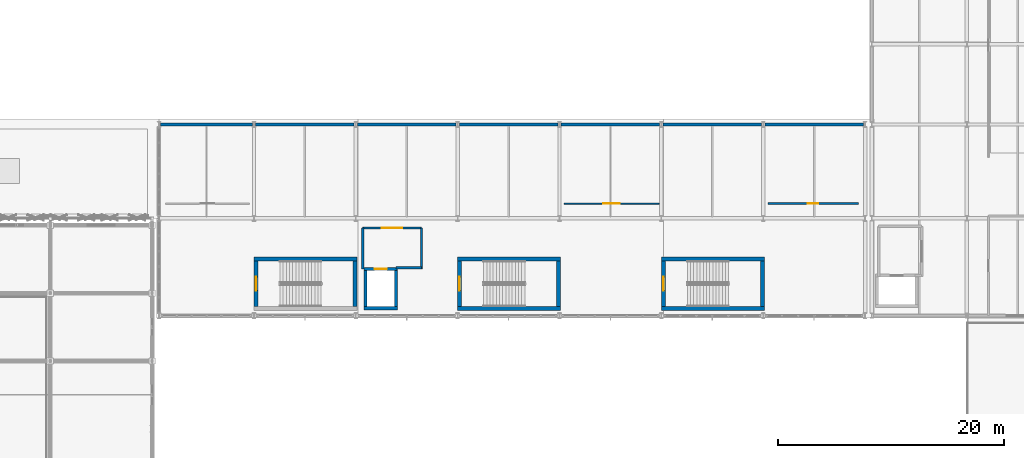
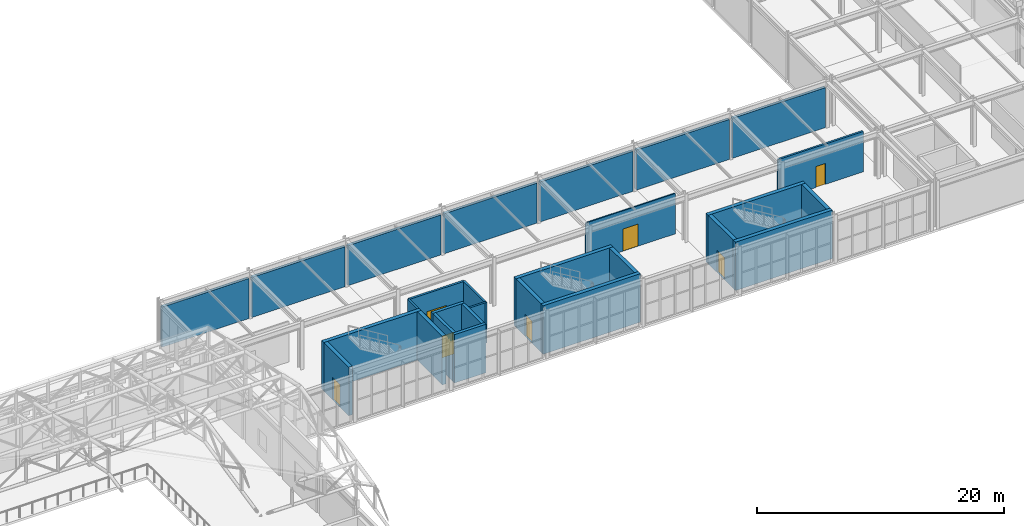
# One storey, part 95 of 112: 28 walls, 7 doors, 7 openings.
"""IFC4 building model written with IfcOpenShell, lengths in metres."""

from ifc_helpers import new_model, si_unit, direction, frame, frame_2d, origin, place, context, subcontext, project, spatial, rectangle, extrude, material, layer, layer_set, type_object, element, fill, save


model = new_model("IFC4")

# Units and contexts
model_context = context("Model", 3, precision=1e-05, world=origin(), true_north=direction((0.0, 1.0)))
body_context = subcontext(model_context, "Body", "Model", "MODEL_VIEW")
ifc_project = project(units=[si_unit("LENGTHUNIT", "METRE"), si_unit("AREAUNIT", "SQUARE_METRE"), si_unit("VOLUMEUNIT", "CUBIC_METRE"), si_unit("PLANEANGLEUNIT", "RADIAN"), si_unit("MASSUNIT", "GRAM", prefix="KILO")], contexts=[model_context])

# Site, building, storey
site_placement = place(None, origin())
site = spatial("IfcSite", under=ifc_project, at=site_placement, CompositionType="ELEMENT")
building_placement = place(site_placement, origin())
building = spatial("IfcBuilding", under=site, at=building_placement, Name="Kaldris Quays Convention Centre", CompositionType="ELEMENT")
storey_placement = place(building_placement, frame((0.0, 0.0, 16.800048828125)))
storey = spatial("IfcBuildingStorey", under=building, at=storey_placement, Name="L03", CompositionType="ELEMENT", Elevation=16.800048828125)

# Walls
ifc_material_1 = material(Name="Precast concrete C40/50", Category="concrete")
ifc_layer_1 = layer(ifc_material_1, 0.263916015625)
ifc_layer_set_1 = layer_set([ifc_layer_1], Name="Precast concrete C40/50")
wall_type_1 = type_object("IfcWallType", Name="EXTERIOR WALL EW04", PredefinedType="STANDARD", material=ifc_layer_set_1)
wall_1_placement = place(storey_placement, frame((83.74609375, 54.89990234375, 0.0), z_axis=(0.0, 0.0, 1.0), x_axis=(1.0, 0.0, 0.0)))
element("IfcWall", 1, at=wall_1_placement, inside=storey, type_object=wall_type_1, Name="L03 Exterior Wall EW04 255", PredefinedType="STANDARD", context=body_context, shape_type="SweptSolid", body=[
    extrude(rectangle(XDim=8.10791015625, YDim=0.263916015625, at=frame_2d((4.053955078125, 0.0))), origin(), (0.0, 0.0, 1.0), 3.96484375),
])
for number, where, z_axis, x_axis, name in (
    (2, (92.14599609375, 54.89990234375, 0.0), (0.0, 0.0, 1.0), (1.0, 0.0, 0.0), "L03 Exterior Wall EW04 256"),
    (3, (101.14599609375, 54.89990234375, 0.0), (0.0, 0.0, 1.0), (1.0, 0.0, 0.0), "L03 Exterior Wall EW04 257"),
    (4, (110.14599609375, 54.89990234375, 0.0), (0.0, 0.0, 1.0), (1.0, 0.0, 0.0), "L03 Exterior Wall EW04 258"),
    (5, (119.14599609375, 54.89990234375, 0.0), (0.0, 0.0, 1.0), (1.0, 0.0, 0.0), "L03 Exterior Wall EW04 259"),
    (6, (128.14599609375, 54.89990234375, 0.0), (0.0, 0.0, 1.0), (1.0, 0.0, 0.0), "L03 Exterior Wall EW04 260"),
    (7, (137.14599609375, 54.89990234375, 0.0), (0.0, 0.0, 1.0), (1.0, 0.0, 0.0), "L03 Exterior Wall EW04 261"),
):
    element("IfcWall", number, at=place(storey_placement, frame(where, z_axis=z_axis, x_axis=x_axis)), inside=storey, type_object=wall_type_1, Name=name, PredefinedType="STANDARD", context=body_context, shape_type="SweptSolid", body=[
        extrude(rectangle(XDim=8.7080078125, YDim=0.263916015625, at=frame_2d((4.35400390625, 0.0))), origin(), (0.0, 0.0, 1.0), 3.96484375),
    ])

# Wall, opening, door
ifc_material_2 = material(Name="Concrete C35/45", Category="concrete")
ifc_layer_2 = layer(ifc_material_2, 0.199951171875)
ifc_layer_set_2 = layer_set([ifc_layer_2], Name="Concrete C35/45")
wall_type_2 = type_object("IfcWallType", Name="INTERIOR WALL IW01", PredefinedType="PARTITIONING", material=ifc_layer_set_2)
wall_2_placement = place(storey_placement, frame((101.60009765625, 45.75, 0.0), z_axis=(0.0, 0.0, 1.0), x_axis=(1.0, 0.0, 0.0)))
wall_2 = element("IfcWall", 8, at=wall_2_placement, inside=storey, type_object=wall_type_2, Name="L03 Firefighting Lift Lobby FL01 Wall N", PredefinedType="PARTITIONING", context=body_context, shape_type="SweptSolid", body=[
    extrude(rectangle(XDim=5.199951171875, YDim=0.199951171875, at=frame_2d((2.60009765625, 0.0))), origin(), (0.0, 0.0, 1.0), 4.0),
])
opening_1_placement = place(wall_2_placement, frame((1.699951171875, 0.0, 0.0)))
opening_1 = element("IfcOpeningElement", 9, at=opening_1_placement, cuts=wall_2, Name="Opening ID02", PredefinedType="OPENING", context=body_context, shape_type="SweptSolid", body=[
    extrude(rectangle(XDim=1.800048828125, YDim=2.199951171875, at=frame_2d((0.89990234375, 1.10009765625))), frame((0.0, 0.10986328125, 0.0), z_axis=(0.0, -1.0, 0.0), x_axis=(1.0, 0.0, 0.0)), (0.0, 0.0, 1.0), 0.219970703125),
])
ifc_material_3 = material(Name="Steel S355J2 fire-resisting door", Category="steel")
door_type_1 = type_object("IfcDoorType", Name="INTERIOR DOOR ID02", OperationType="DOUBLE_DOOR_SINGLE_SWING", PredefinedType="DOOR", material=ifc_material_3)
door_1_placement = place(opening_1_placement, origin())
door_1 = element("IfcDoor", 10, at=door_1_placement, inside=storey, type_object=door_type_1, Name="L03 Firefighting Lift Lobby FL01 Fire Door", OperationType="DOUBLE_DOOR_SINGLE_SWING", OverallHeight=2.199951171875, OverallWidth=1.800048828125, PredefinedType="DOOR", context=body_context, shape_type="SweptSolid", body=[
    extrude(rectangle(XDim=1.800048828125, YDim=2.199951171875, at=frame_2d((0.89990234375, 1.10009765625))), frame((0.0, 0.02490234375, 0.0), z_axis=(0.0, -1.0, 0.0), x_axis=(1.0, 0.0, 0.0)), (0.0, 0.0, 1.0), 0.050048828125),
])
fill(opening_1, door_1)

# Walls
for number, where, z_axis, x_axis, name in (
    (11, (101.60009765625, 42.14990234375, 0.0), (0.0, 0.0, 1.0), (0.0, 1.0, 0.0), "L03 Firefighting Lift Lobby FL01 Wall W"),
    (12, (106.800048828125, 42.14990234375, 0.0), (0.0, 0.0, 1.0), (0.0, 1.0, 0.0), "L03 Firefighting Lift Lobby FL01 Wall E"),
):
    element("IfcWall", number, at=place(storey_placement, frame(where, z_axis=z_axis, x_axis=x_axis)), inside=storey, type_object=wall_type_2, Name=name, PredefinedType="PARTITIONING", context=body_context, shape_type="SweptSolid", body=[
        extrude(rectangle(XDim=3.60009765625, YDim=0.199951171875, at=frame_2d((1.800048828125, 0.0))), origin(), (0.0, 0.0, 1.0), 4.0),
    ])
wall_3_placement = place(storey_placement, frame((104.5400390625, 42.25, 0.0), z_axis=(0.0, 0.0, 1.0), x_axis=(1.0, 0.0, 0.0)))
element("IfcWall", 13, at=wall_3_placement, inside=storey, type_object=wall_type_2, Name="L03 Firefighting Lift Lobby FL01 Wall S", PredefinedType="PARTITIONING", context=body_context, shape_type="SweptSolid", body=[
    extrude(rectangle(XDim=2.260009765625, YDim=0.199951171875, at=frame_2d((1.1298828125, 0.0))), origin(), (0.0, 0.0, 1.0), 4.0),
])

# Wall, opening, door
ifc_material_4 = material(Name="Acoustic gypsum stud partition", Category="gypsum")
ifc_layer_3 = layer(ifc_material_4, 0.177978515625)
ifc_layer_set_3 = layer_set([ifc_layer_3], Name="Acoustic gypsum stud partition")
wall_type_3 = type_object("IfcWallType", Name="INTERIOR WALL IW02", PredefinedType="PARTITIONING", material=ifc_layer_set_3)
wall_4_placement = place(storey_placement, frame((137.39990234375, 47.89990234375, 0.0), z_axis=(0.0, 0.0, 1.0), x_axis=(1.0, 0.0, 0.0)))
wall_4 = element("IfcWall", 14, at=wall_4_placement, inside=storey, type_object=wall_type_3, Name="L03 Interior Wall IW02 108", PredefinedType="PARTITIONING", context=body_context, shape_type="SweptSolid", body=[
    extrude(rectangle(XDim=8.0, YDim=0.177978515625, at=frame_2d((4.0, 0.0))), origin(), (0.0, 0.0, 1.0), 4.0),
])
opening_2_placement = place(wall_4_placement, frame((3.550048828125, 0.0, 0.0)))
opening_2 = element("IfcOpeningElement", 15, at=opening_2_placement, cuts=wall_4, Name="Opening ID12", PredefinedType="OPENING", context=body_context, shape_type="SweptSolid", body=[
    extrude(rectangle(XDim=0.89990234375, YDim=2.080078125, at=frame_2d((0.449951171875, 1.0400390625))), frame((0.0, 0.09912109375, 0.0), z_axis=(0.0, -1.0, 0.0), x_axis=(1.0, 0.0, 0.0)), (0.0, 0.0, 1.0), 0.197998046875),
])
ifc_material_5 = material(Name="Moisture-resistant sanitary room door", Category="wood")
door_type_2 = type_object("IfcDoorType", Name="INTERIOR DOOR ID12", OperationType="NOTDEFINED", PredefinedType="DOOR", material=ifc_material_5)
door_2_placement = place(opening_2_placement, origin())
door_2 = element("IfcDoor", 16, at=door_2_placement, inside=storey, type_object=door_type_2, Name="L03 Interior Door ID12 73", OperationType="SINGLE_SWING_LEFT", OverallHeight=2.080078125, OverallWidth=0.89990234375, PredefinedType="DOOR", context=body_context, shape_type="SweptSolid", body=[
    extrude(rectangle(XDim=0.89990234375, YDim=2.080078125, at=frame_2d((0.449951171875, 1.0400390625))), frame((0.0, 0.02490234375, 0.0), z_axis=(0.0, -1.0, 0.0), x_axis=(1.0, 0.0, 0.0)), (0.0, 0.0, 1.0), 0.050048828125),
])
fill(opening_2, door_2)

ifc_layer_4 = layer(ifc_material_4, 0.1201171875)
ifc_layer_set_4 = layer_set([ifc_layer_4], Name="Acoustic gypsum stud partition")
wall_type_4 = type_object("IfcWallType", Name="INTERIOR WALL IW06", PredefinedType="PARTITIONING", material=ifc_layer_set_4)
wall_5_placement = place(storey_placement, frame((119.39990234375, 47.89990234375, 0.0), z_axis=(0.0, 0.0, 1.0), x_axis=(1.0, 0.0, 0.0)))
wall_5 = element("IfcWall", 17, at=wall_5_placement, inside=storey, type_object=wall_type_4, Name="L03 Interior Wall IW06 107", PredefinedType="PARTITIONING", context=body_context, shape_type="SweptSolid", body=[
    extrude(rectangle(XDim=8.400146484375, YDim=0.1201171875, at=frame_2d((4.2001953125, 0.0))), origin(), (0.0, 0.0, 1.0), 4.0),
])
opening_3_placement = place(wall_5_placement, frame((3.47998046875, 0.0, 0.0)))
opening_3 = element("IfcOpeningElement", 18, at=opening_3_placement, cuts=wall_5, Name="Opening ID17", PredefinedType="OPENING", context=body_context, shape_type="SweptSolid", body=[
    extrude(rectangle(XDim=1.43994140625, YDim=2.199951171875, at=frame_2d((0.719970703125, 1.10009765625))), frame((0.0, 0.070068359375, 0.0), z_axis=(0.0, -1.0, 0.0), x_axis=(1.0, 0.0, 0.0)), (0.0, 0.0, 1.0), 0.14013671875),
])
ifc_material_6 = material(Name="Timber syndicate double door", Category="wood")
door_type_3 = type_object("IfcDoorType", Name="INTERIOR DOOR ID17", OperationType="DOUBLE_DOOR_SINGLE_SWING", PredefinedType="DOOR", material=ifc_material_6)
door_3_placement = place(opening_3_placement, origin())
door_3 = element("IfcDoor", 19, at=door_3_placement, inside=storey, type_object=door_type_3, Name="L03 Interior Door ID17 72", OperationType="DOUBLE_DOOR_SINGLE_SWING", OverallHeight=2.199951171875, OverallWidth=1.43994140625, PredefinedType="DOOR", context=body_context, shape_type="SweptSolid", body=[
    extrude(rectangle(XDim=1.43994140625, YDim=2.199951171875, at=frame_2d((0.719970703125, 1.10009765625))), frame((0.0, 0.02490234375, 0.0), z_axis=(0.0, -1.0, 0.0), x_axis=(1.0, 0.0, 0.0)), (0.0, 0.0, 1.0), 0.050048828125),
])
fill(opening_3, door_3)

# Wall
ifc_material_7 = material(Name="Concrete C40/50", Category="concrete")
ifc_layer_5 = layer(ifc_material_7, 0.35009765625)
ifc_layer_set_5 = layer_set([ifc_layer_5], Name="Concrete C40/50")
wall_type_5 = type_object("IfcWallType", Name="STRUCTURAL WALL SW01", PredefinedType="SHEAR", material=ifc_layer_set_5)
wall_6_placement = place(storey_placement, frame((92.0, 43.02490234375, 0.0), z_axis=(0.0, 0.0, 1.0), x_axis=(1.0, 0.0, 0.0)))
element("IfcWall", 20, at=wall_6_placement, inside=storey, type_object=wall_type_5, Name="L03 Core Shear Wall CORE-ST11-L03-N", PredefinedType="SHEAR", context=body_context, shape_type="SweptSolid", body=[
    extrude(rectangle(XDim=9.10009765625, YDim=0.35009765625, at=frame_2d((4.550048828125, 0.0))), origin(), (0.0, 0.0, 1.0), 4.800048828125),
])

# Wall, opening, door
wall_7_placement = place(storey_placement, frame((92.175048828125, 38.800048828125, 0.0), z_axis=(0.0, 0.0, 1.0), x_axis=(0.0, 1.0, 0.0)))
wall_7 = element("IfcWall", 21, at=wall_7_placement, inside=storey, type_object=wall_type_5, Name="L03 Core Shear Wall CORE-ST11-L03-W", PredefinedType="SHEAR", context=body_context, shape_type="SweptSolid", body=[
    extrude(rectangle(XDim=4.050048828125, YDim=0.35009765625, at=frame_2d((2.02490234375, 0.0))), origin(), (0.0, 0.0, 1.0), 4.800048828125),
])
opening_4_placement = place(wall_7_placement, frame((1.425048828125, 0.0, 0.0)))
opening_4 = element("IfcOpeningElement", 22, at=opening_4_placement, cuts=wall_7, Name="Opening ID03", PredefinedType="OPENING", context=body_context, shape_type="SweptSolid", body=[
    extrude(rectangle(XDim=1.199951171875, YDim=2.199951171875, at=frame_2d((0.60009765625, 1.10009765625))), frame((0.0, 0.18505859375, 0.0), z_axis=(0.0, -1.0, 0.0), x_axis=(1.0, 0.0, 0.0)), (0.0, 0.0, 1.0), 0.3701171875),
])
door_type_4 = type_object("IfcDoorType", Name="INTERIOR DOOR ID03", OperationType="NOTDEFINED", PredefinedType="DOOR", material=ifc_material_3)
door_4_placement = place(opening_4_placement, frame((1.199951171875, 0.0, 0.0), z_axis=(0.0, 0.0, 1.0), x_axis=(-1.0, 0.0, 0.0)))
door_4 = element("IfcDoor", 23, at=door_4_placement, inside=storey, type_object=door_type_4, Name="L03 Escape Stair ST11 Fire Door", OperationType="SINGLE_SWING_LEFT", OverallHeight=2.199951171875, OverallWidth=1.199951171875, PredefinedType="DOOR", context=body_context, shape_type="SweptSolid", body=[
    extrude(rectangle(XDim=1.199951171875, YDim=2.199951171875, at=frame_2d((0.60009765625, 1.10009765625))), frame((0.0, 0.02490234375, 0.0), z_axis=(0.0, -1.0, 0.0), x_axis=(1.0, 0.0, 0.0)), (0.0, 0.0, 1.0), 0.050048828125),
])
fill(opening_4, door_4)

# Walls
wall_8_placement = place(storey_placement, frame((100.925048828125, 38.800048828125, 0.0), z_axis=(0.0, 0.0, 1.0), x_axis=(0.0, 1.0, 0.0)))
element("IfcWall", 24, at=wall_8_placement, inside=storey, type_object=wall_type_5, Name="L03 Core Shear Wall CORE-ST11-L03-E", PredefinedType="SHEAR", context=body_context, shape_type="SweptSolid", body=[
    extrude(rectangle(XDim=4.050048828125, YDim=0.35009765625, at=frame_2d((2.02490234375, 0.0))), origin(), (0.0, 0.0, 1.0), 4.800048828125),
])
for number, where, z_axis, x_axis, name in (
    (25, (128.0, 38.625, 0.0), (0.0, 0.0, 1.0), (1.0, 0.0, 0.0), "L03 Core Shear Wall CORE-ST12-L03-S"),
    (26, (128.0, 43.02490234375, 0.0), (0.0, 0.0, 1.0), (1.0, 0.0, 0.0), "L03 Core Shear Wall CORE-ST12-L03-N"),
):
    element("IfcWall", number, at=place(storey_placement, frame(where, z_axis=z_axis, x_axis=x_axis)), inside=storey, type_object=wall_type_5, Name=name, PredefinedType="SHEAR", context=body_context, shape_type="SweptSolid", body=[
        extrude(rectangle(XDim=9.10009765625, YDim=0.35009765625, at=frame_2d((4.550048828125, 0.0))), origin(), (0.0, 0.0, 1.0), 4.800048828125),
    ])

# Wall, opening, door
wall_9_placement = place(storey_placement, frame((128.175048828125, 38.800048828125, 0.0), z_axis=(0.0, 0.0, 1.0), x_axis=(0.0, 1.0, 0.0)))
wall_9 = element("IfcWall", 27, at=wall_9_placement, inside=storey, type_object=wall_type_5, Name="L03 Core Shear Wall CORE-ST12-L03-W", PredefinedType="SHEAR", context=body_context, shape_type="SweptSolid", body=[
    extrude(rectangle(XDim=4.050048828125, YDim=0.35009765625, at=frame_2d((2.02490234375, 0.0))), origin(), (0.0, 0.0, 1.0), 4.800048828125),
])
opening_5_placement = place(wall_9_placement, frame((1.425048828125, 0.0, 0.0)))
opening_5 = element("IfcOpeningElement", 28, at=opening_5_placement, cuts=wall_9, Name="Opening ID03", PredefinedType="OPENING", context=body_context, shape_type="SweptSolid", body=[
    extrude(rectangle(XDim=1.199951171875, YDim=2.199951171875, at=frame_2d((0.60009765625, 1.10009765625))), frame((0.0, 0.18505859375, 0.0), z_axis=(0.0, -1.0, 0.0), x_axis=(1.0, 0.0, 0.0)), (0.0, 0.0, 1.0), 0.3701171875),
])
door_5_placement = place(opening_5_placement, frame((1.199951171875, 0.0, 0.0), z_axis=(0.0, 0.0, 1.0), x_axis=(-1.0, 0.0, 0.0)))
door_5 = element("IfcDoor", 29, at=door_5_placement, inside=storey, type_object=door_type_4, Name="L03 Escape Stair ST12 Fire Door", OperationType="SINGLE_SWING_LEFT", OverallHeight=2.199951171875, OverallWidth=1.199951171875, PredefinedType="DOOR", context=body_context, shape_type="SweptSolid", body=[
    extrude(rectangle(XDim=1.199951171875, YDim=2.199951171875, at=frame_2d((0.60009765625, 1.10009765625))), frame((0.0, 0.02490234375, 0.0), z_axis=(0.0, -1.0, 0.0), x_axis=(1.0, 0.0, 0.0)), (0.0, 0.0, 1.0), 0.050048828125),
])
fill(opening_5, door_5)

# Walls
wall_10_placement = place(storey_placement, frame((136.925048828125, 38.800048828125, 0.0), z_axis=(0.0, 0.0, 1.0), x_axis=(0.0, 1.0, 0.0)))
element("IfcWall", 30, at=wall_10_placement, inside=storey, type_object=wall_type_5, Name="L03 Core Shear Wall CORE-ST12-L03-E", PredefinedType="SHEAR", context=body_context, shape_type="SweptSolid", body=[
    extrude(rectangle(XDim=4.050048828125, YDim=0.35009765625, at=frame_2d((2.02490234375, 0.0))), origin(), (0.0, 0.0, 1.0), 4.800048828125),
])
for number, where, z_axis, x_axis, name in (
    (31, (110.0, 38.625, 0.0), (0.0, 0.0, 1.0), (1.0, 0.0, 0.0), "L03 Core Shear Wall CORE-ST13-L03-S"),
    (32, (110.0, 43.02490234375, 0.0), (0.0, 0.0, 1.0), (1.0, 0.0, 0.0), "L03 Core Shear Wall CORE-ST13-L03-N"),
):
    element("IfcWall", number, at=place(storey_placement, frame(where, z_axis=z_axis, x_axis=x_axis)), inside=storey, type_object=wall_type_5, Name=name, PredefinedType="SHEAR", context=body_context, shape_type="SweptSolid", body=[
        extrude(rectangle(XDim=9.10009765625, YDim=0.35009765625, at=frame_2d((4.550048828125, 0.0))), origin(), (0.0, 0.0, 1.0), 4.800048828125),
    ])

# Wall, opening, door
wall_11_placement = place(storey_placement, frame((110.175048828125, 38.800048828125, 0.0), z_axis=(0.0, 0.0, 1.0), x_axis=(0.0, 1.0, 0.0)))
wall_11 = element("IfcWall", 33, at=wall_11_placement, inside=storey, type_object=wall_type_5, Name="L03 Core Shear Wall CORE-ST13-L03-W", PredefinedType="SHEAR", context=body_context, shape_type="SweptSolid", body=[
    extrude(rectangle(XDim=4.050048828125, YDim=0.35009765625, at=frame_2d((2.02490234375, 0.0))), origin(), (0.0, 0.0, 1.0), 4.800048828125),
])
opening_6_placement = place(wall_11_placement, frame((1.425048828125, 0.0, 0.0)))
opening_6 = element("IfcOpeningElement", 34, at=opening_6_placement, cuts=wall_11, Name="Opening ID03", PredefinedType="OPENING", context=body_context, shape_type="SweptSolid", body=[
    extrude(rectangle(XDim=1.199951171875, YDim=2.199951171875, at=frame_2d((0.60009765625, 1.10009765625))), frame((0.0, 0.18505859375, 0.0), z_axis=(0.0, -1.0, 0.0), x_axis=(1.0, 0.0, 0.0)), (0.0, 0.0, 1.0), 0.3701171875),
])
door_6_placement = place(opening_6_placement, frame((1.199951171875, 0.0, 0.0), z_axis=(0.0, 0.0, 1.0), x_axis=(-1.0, 0.0, 0.0)))
door_6 = element("IfcDoor", 35, at=door_6_placement, inside=storey, type_object=door_type_4, Name="L03 Escape Stair ST13 Fire Door", OperationType="SINGLE_SWING_LEFT", OverallHeight=2.199951171875, OverallWidth=1.199951171875, PredefinedType="DOOR", context=body_context, shape_type="SweptSolid", body=[
    extrude(rectangle(XDim=1.199951171875, YDim=2.199951171875, at=frame_2d((0.60009765625, 1.10009765625))), frame((0.0, 0.02490234375, 0.0), z_axis=(0.0, -1.0, 0.0), x_axis=(1.0, 0.0, 0.0)), (0.0, 0.0, 1.0), 0.050048828125),
])
fill(opening_6, door_6)

# Walls
wall_12_placement = place(storey_placement, frame((118.925048828125, 38.800048828125, 0.0), z_axis=(0.0, 0.0, 1.0), x_axis=(0.0, 1.0, 0.0)))
element("IfcWall", 36, at=wall_12_placement, inside=storey, type_object=wall_type_5, Name="L03 Core Shear Wall CORE-ST13-L03-E", PredefinedType="SHEAR", context=body_context, shape_type="SweptSolid", body=[
    extrude(rectangle(XDim=4.050048828125, YDim=0.35009765625, at=frame_2d((2.02490234375, 0.0))), origin(), (0.0, 0.0, 1.0), 4.800048828125),
])
ifc_layer_6 = layer(ifc_material_7, 0.280029296875)
ifc_layer_set_6 = layer_set([ifc_layer_6], Name="Concrete C40/50")
wall_type_6 = type_object("IfcWallType", Name="STRUCTURAL WALL SW03", PredefinedType="SHEAR", material=ifc_layer_set_6)
wall_13_placement = place(storey_placement, frame((101.719970703125, 38.659912109375, 0.0), z_axis=(0.0, 0.0, 1.0), x_axis=(1.0, 0.0, 0.0)))
element("IfcWall", 37, at=wall_13_placement, inside=storey, type_object=wall_type_6, Name="L03 Core Shear Wall LSHAFT-FL01-L03-S", PredefinedType="SHEAR", context=body_context, shape_type="SweptSolid", body=[
    extrude(rectangle(XDim=2.9599609375, YDim=0.280029296875, at=frame_2d((1.47998046875, 0.0))), origin(), (0.0, 0.0, 1.0), 4.800048828125),
])

# Wall, opening, door
wall_14_placement = place(storey_placement, frame((101.719970703125, 42.139892578125, 0.0), z_axis=(0.0, 0.0, 1.0), x_axis=(1.0, 0.0, 0.0)))
wall_14 = element("IfcWall", 38, at=wall_14_placement, inside=storey, type_object=wall_type_6, Name="L03 Core Shear Wall LSHAFT-FL01-L03-N", PredefinedType="SHEAR", context=body_context, shape_type="SweptSolid", body=[
    extrude(rectangle(XDim=2.9599609375, YDim=0.280029296875, at=frame_2d((1.47998046875, 0.0))), origin(), (0.0, 0.0, 1.0), 4.800048828125),
])
opening_7_placement = place(wall_14_placement, frame((0.929931640625, 0.0, 0.0)))
opening_7 = element("IfcOpeningElement", 39, at=opening_7_placement, cuts=wall_14, Name="Opening LD01", PredefinedType="OPENING", context=body_context, shape_type="SweptSolid", body=[
    extrude(rectangle(XDim=1.10009765625, YDim=2.14990234375, at=frame_2d((0.550048828125, 1.074951171875))), frame((0.0, 0.14990234375, 0.0), z_axis=(0.0, -1.0, 0.0), x_axis=(1.0, 0.0, 0.0)), (0.0, 0.0, 1.0), 0.300048828125),
])
ifc_material_8 = material(Name="Stainless steel 1.4301 lift landing door", Category="steel")
door_type_5 = type_object("IfcDoorType", Name="INTERIOR DOOR LD01", OperationType="DOUBLE_DOOR_SLIDING", PredefinedType="DOOR", material=ifc_material_8)
door_7_placement = place(opening_7_placement, origin())
door_7 = element("IfcDoor", 40, at=door_7_placement, inside=storey, type_object=door_type_5, Name="L03 FL01 Sliding Lift Landing Door", OperationType="DOUBLE_DOOR_SLIDING", OverallHeight=2.14990234375, OverallWidth=1.10009765625, PredefinedType="DOOR", context=body_context, shape_type="SweptSolid", body=[
    extrude(rectangle(XDim=1.10009765625, YDim=2.14990234375, at=frame_2d((0.550048828125, 1.074951171875))), frame((0.0, 0.02490234375, 0.0), z_axis=(0.0, -1.0, 0.0), x_axis=(1.0, 0.0, 0.0)), (0.0, 0.0, 1.0), 0.050048828125),
])
fill(opening_7, door_7)

# Walls
for number, where, z_axis, x_axis, name in (
    (41, (101.860107421875, 38.800048828125, 0.0), (0.0, 0.0, 1.0), (0.0, 1.0, 0.0), "L03 Core Shear Wall LSHAFT-FL01-L03-W"),
    (42, (104.5400390625, 38.800048828125, 0.0), (0.0, 0.0, 1.0), (0.0, 1.0, 0.0), "L03 Core Shear Wall LSHAFT-FL01-L03-E"),
):
    element("IfcWall", number, at=place(storey_placement, frame(where, z_axis=z_axis, x_axis=x_axis)), inside=storey, type_object=wall_type_6, Name=name, PredefinedType="SHEAR", context=body_context, shape_type="SweptSolid", body=[
        extrude(rectangle(XDim=3.199951171875, YDim=0.280029296875, at=frame_2d((1.60009765625, 0.0))), origin(), (0.0, 0.0, 1.0), 4.800048828125),
    ])

save(model, "model.ifc")
